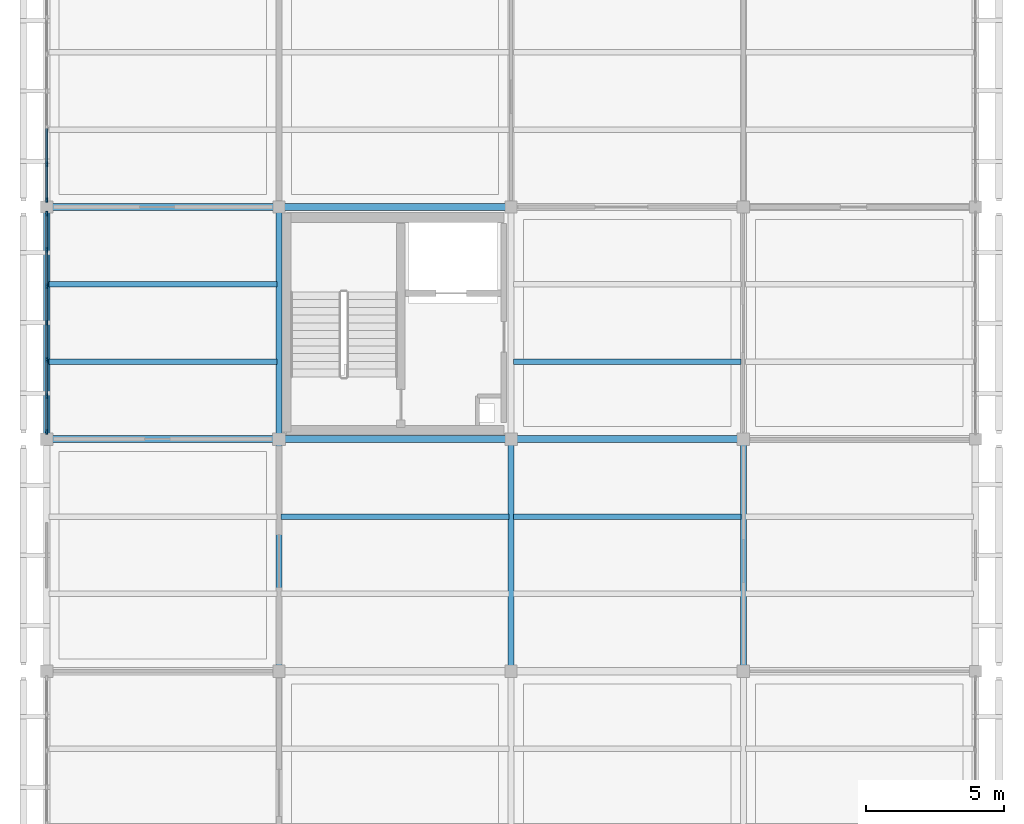
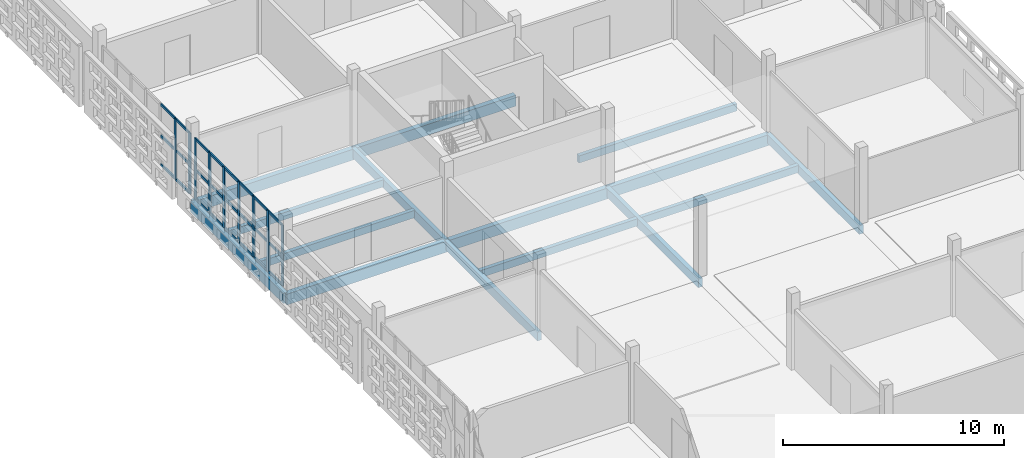
# One storey, part 45 of 140: 33 members, 15 beams, 2 elements without a shape of their own.
"""IFC4 building model written with IfcOpenShell, lengths in metres."""

from ifc_helpers import new_model, si_unit, direction, frame, origin, origin_2d, place, context, subcontext, project, spatial, rectangle, extrude, material, layer, layer_set, material_profile, profile_set, type_object, element, aggregate, save


model = new_model("IFC4")

# Units and contexts
model_context = context("Model", 3, precision=1e-05, world=origin(), true_north=direction((0.0, 1.0)))
body_context = subcontext(model_context, "Body", "Model", "MODEL_VIEW")
ifc_project = project(units=[si_unit("LENGTHUNIT", "METRE"), si_unit("AREAUNIT", "SQUARE_METRE"), si_unit("VOLUMEUNIT", "CUBIC_METRE"), si_unit("PLANEANGLEUNIT", "RADIAN"), si_unit("MASSUNIT", "GRAM", prefix="KILO")], contexts=[model_context])

# Site, building, storey
site_placement = place(None, origin())
site = spatial("IfcSite", under=ifc_project, at=site_placement, CompositionType="ELEMENT")
building_placement = place(site_placement, origin())
building = spatial("IfcBuilding", under=site, at=building_placement, Name="Varnapada Polytechnic", CompositionType="ELEMENT")
storey_placement = place(building_placement, frame((0.0, 0.0, 13.800048828125)))
storey = spatial("IfcBuildingStorey", under=building, at=storey_placement, Name="L03", CompositionType="ELEMENT", Elevation=13.800048828125)

# Beams
ifc_material_1 = material(Name="Glulam GL32h", Category="wood")
ifc_material_profile_1 = material_profile(ifc_material_1, rectangle(XDim=0.199951171875, YDim=0.39990234375, at=origin_2d()), Name="GL 200x400")
ifc_profile_set_1 = profile_set([ifc_material_profile_1], Name="Glulam GL32h")
beam_type_1 = type_object("IfcBeamType", Name="Library/laboratory glulam floor joist GJ-01 (GL 200x400)", PredefinedType="JOIST", material=ifc_profile_set_1)
for number, where, z_axis, x_axis, name in (
    (1, (0.080078125, 103.60009765625, -0.43994140625), (1.0, 0.0, 0.0), (0.0, 1.0, 0.0), "L03 floor joist 1/13.1"),
    (2, (0.080078125, 106.39990234375, -0.43994140625), (1.0, 0.0, 0.0), (0.0, 1.0, 0.0), "L03 floor joist 1/13.2"),
    (3, (8.47998046875, 98.0, -0.43994140625), (1.0, 0.0, 0.0), (0.0, 1.0, 0.0), "L03 floor joist 2/12.2"),
):
    element("IfcBeam", number, at=place(storey_placement, frame(where, z_axis=z_axis, x_axis=x_axis)), inside=storey, type_object=beam_type_1, Name=name, PredefinedType="JOIST", context=body_context, shape_type="SweptSolid", body=[
        extrude(rectangle(XDim=0.199951171875, YDim=0.39990234375, at=origin_2d()), origin(), (0.0, 0.0, 1.0), 8.239990234375),
    ])
for number, where, z_axis, x_axis, name in (
    (4, (16.8798828125, 98.0, -0.43994140625), (1.0, 0.0, 0.0), (0.0, 1.0, 0.0), "L03 floor joist 3/12.2"),
    (5, (16.8798828125, 103.60009765625, -0.43994140625), (1.0, 0.0, 0.0), (0.0, 1.0, 0.0), "L03 floor joist 3/13.1"),
):
    element("IfcBeam", number, at=place(storey_placement, frame(where, z_axis=z_axis, x_axis=x_axis)), inside=storey, type_object=beam_type_1, Name=name, PredefinedType="JOIST", context=body_context, shape_type="SweptSolid", body=[
        extrude(rectangle(XDim=0.199951171875, YDim=0.39990234375, at=origin_2d()), origin(), (0.0, 0.0, 1.0), 8.240234375),
    ])

# Curtain wall, members
ifc_material_2 = material(Name="Double low-E laminated glass", Category="glass")
ifc_layer = layer(ifc_material_2, 0.179931640625)
ifc_layer_set = layer_set([ifc_layer], Name="Double low-E laminated glass")
curtain_wall_type = type_object("IfcCurtainWallType", Name="Curtain Wall CW-03", PredefinedType="NOTDEFINED", material=ifc_layer_set)
curtain_wall_1_placement = place(storey_placement, origin())
curtain_wall_1 = element("IfcCurtainWall", 6, at=curtain_wall_1_placement, inside=storey, type_object=curtain_wall_type, Name="L03 unitised curtain wall CW-03 (209)", PredefinedType="NOTDEFINED")
ifc_material_3 = material(Name="Anodised aluminium", Category="aluminium")
ifc_material_profile_2 = material_profile(ifc_material_3, rectangle(XDim=0.06494140625, YDim=0.179931640625, at=origin_2d()), Name="ALU M65x180")
ifc_profile_set_2 = profile_set([ifc_material_profile_2], Name="Anodised aluminium")
member_type_1 = type_object("IfcMemberType", Name="Mullion M-02", PredefinedType="MULLION", material=ifc_profile_set_2)
member_1_placement = place(storey_placement, frame((0.0, 101.0625, 0.0), z_axis=(0.0, 0.0, 1.0), x_axis=(-1.0, 0.0, 0.0)))
member_1 = element("IfcMember", 7, at=member_1_placement, type_object=member_type_1, Name="CW-03 mullion 1", PredefinedType="MULLION", context=body_context, shape_type="SweptSolid", body=[
    extrude(rectangle(XDim=0.06494140625, YDim=0.179931640625, at=origin_2d()), origin(), (0.0, 0.0, 1.0), 3.35986328125),
])
member_2_placement = place(storey_placement, frame((0.0, 102.35498046875, 0.0), z_axis=(0.0, 0.0, 1.0), x_axis=(-1.0, 0.0, 0.0)))
member_2 = element("IfcMember", 8, at=member_2_placement, type_object=member_type_1, Name="CW-03 mullion 2", PredefinedType="MULLION", context=body_context, shape_type="SweptSolid", body=[
    extrude(rectangle(XDim=0.06494140625, YDim=0.179931640625, at=origin_2d()), origin(), (0.0, 0.0, 1.0), 3.35986328125),
])
member_3_placement = place(storey_placement, frame((0.0, 103.679931640625, 0.0), z_axis=(0.0, 0.0, 1.0), x_axis=(-1.0, 0.0, 0.0)))
member_3 = element("IfcMember", 9, at=member_3_placement, type_object=member_type_1, Name="CW-03 mullion 3", PredefinedType="MULLION", context=body_context, shape_type="SweptSolid", body=[
    extrude(rectangle(XDim=0.06494140625, YDim=0.179931640625, at=origin_2d()), origin(), (0.0, 0.0, 1.0), 3.35986328125),
])
member_4_placement = place(storey_placement, frame((0.0, 105.0048828125, 0.0), z_axis=(0.0, 0.0, 1.0), x_axis=(-1.0, 0.0, 0.0)))
member_4 = element("IfcMember", 10, at=member_4_placement, type_object=member_type_1, Name="CW-03 mullion 4", PredefinedType="MULLION", context=body_context, shape_type="SweptSolid", body=[
    extrude(rectangle(XDim=0.06494140625, YDim=0.179931640625, at=origin_2d()), origin(), (0.0, 0.0, 1.0), 3.35986328125),
])
member_5_placement = place(storey_placement, frame((0.0, 106.330078125, 0.0), z_axis=(0.0, 0.0, 1.0), x_axis=(-1.0, 0.0, 0.0)))
member_5 = element("IfcMember", 11, at=member_5_placement, type_object=member_type_1, Name="CW-03 mullion 5", PredefinedType="MULLION", context=body_context, shape_type="SweptSolid", body=[
    extrude(rectangle(XDim=0.06494140625, YDim=0.179931640625, at=origin_2d()), origin(), (0.0, 0.0, 1.0), 3.35986328125),
])
member_6_placement = place(storey_placement, frame((0.0, 107.655029296875, 0.0), z_axis=(0.0, 0.0, 1.0), x_axis=(-1.0, 0.0, 0.0)))
member_6 = element("IfcMember", 12, at=member_6_placement, type_object=member_type_1, Name="CW-03 mullion 6", PredefinedType="MULLION", context=body_context, shape_type="SweptSolid", body=[
    extrude(rectangle(XDim=0.06494140625, YDim=0.179931640625, at=origin_2d()), origin(), (0.0, 0.0, 1.0), 3.35986328125),
])
member_7_placement = place(storey_placement, frame((0.0, 108.947509765625, 0.0), z_axis=(0.0, 0.0, 1.0), x_axis=(-1.0, 0.0, 0.0)))
member_7 = element("IfcMember", 13, at=member_7_placement, type_object=member_type_1, Name="CW-03 mullion 7", PredefinedType="MULLION", context=body_context, shape_type="SweptSolid", body=[
    extrude(rectangle(XDim=0.06494140625, YDim=0.179931640625, at=origin_2d()), origin(), (0.0, 0.0, 1.0), 3.35986328125),
])

curtain_wall_2_placement = place(storey_placement, origin())
curtain_wall_2 = element("IfcCurtainWall", 14, at=curtain_wall_2_placement, inside=storey, type_object=curtain_wall_type, Name="L03 unitised curtain wall CW-03 (210)", PredefinedType="NOTDEFINED")
member_8_placement = place(storey_placement, frame((0.0, 109.452392578125, 0.0), z_axis=(0.0, 0.0, 1.0), x_axis=(-1.0, 0.0, 0.0)))
member_8 = element("IfcMember", 15, at=member_8_placement, type_object=member_type_1, Name="CW-03 mullion 1", PredefinedType="MULLION", context=body_context, shape_type="SweptSolid", body=[
    extrude(rectangle(XDim=0.06494140625, YDim=0.179931640625, at=origin_2d()), origin(), (0.0, 0.0, 1.0), 3.35986328125),
])
member_9_placement = place(storey_placement, frame((0.0, 110.7451171875, 0.0), z_axis=(0.0, 0.0, 1.0), x_axis=(-1.0, 0.0, 0.0)))
member_9 = element("IfcMember", 16, at=member_9_placement, type_object=member_type_1, Name="CW-03 mullion 2", PredefinedType="MULLION", context=body_context, shape_type="SweptSolid", body=[
    extrude(rectangle(XDim=0.06494140625, YDim=0.179931640625, at=origin_2d()), origin(), (0.0, 0.0, 1.0), 3.35986328125),
])

# Beams
ifc_material_profile_3 = material_profile(ifc_material_1, rectangle(XDim=0.239990234375, YDim=0.56005859375, at=origin_2d()), Name="GL 240x560")
ifc_profile_set_3 = profile_set([ifc_material_profile_3], Name="Glulam GL32h")
beam_type_2 = type_object("IfcBeamType", Name="Perimeter glulam spandrel beam SP-02 (GL 240x560)", PredefinedType="SPANDREL", material=ifc_profile_set_3)
beam_1_placement = place(storey_placement, frame((0.0, 100.800048828125, -0.52001953125), z_axis=(0.0, 1.0, 0.0), x_axis=(-1.0, 0.0, 0.0)))
element("IfcBeam", 17, at=beam_1_placement, inside=storey, type_object=beam_type_2, Name="L03 beam Y 13-14 at X1", PredefinedType="SPANDREL", context=body_context, shape_type="SweptSolid", body=[
    extrude(rectangle(XDim=0.239990234375, YDim=0.56005859375, at=origin_2d()), origin(), (0.0, 0.0, 1.0), 8.39990234375),
])
ifc_material_profile_4 = material_profile(ifc_material_1, rectangle(XDim=0.260009765625, YDim=0.60009765625, at=origin_2d()), Name="GL 260x600")
ifc_profile_set_4 = profile_set([ifc_material_profile_4], Name="Glulam GL32h")
beam_type_3 = type_object("IfcBeamType", Name="Seminar wing glulam girder GG-05 (GL 260x600)", PredefinedType="BEAM", material=ifc_profile_set_4)
for number, where, z_axis, x_axis, name in (
    (18, (0.0, 100.800048828125, -0.5400390625), (1.0, 0.0, 0.0), (0.0, 1.0, 0.0), "L03 beam X 1-2 at Y13"),
    (19, (0.0, 109.199951171875, -0.5400390625), (1.0, 0.0, 0.0), (0.0, 1.0, 0.0), "L03 beam X 1-2 at Y14"),
):
    element("IfcBeam", number, at=place(storey_placement, frame(where, z_axis=z_axis, x_axis=x_axis)), inside=storey, type_object=beam_type_3, Name=name, PredefinedType="BEAM", context=body_context, shape_type="SweptSolid", body=[
        extrude(rectangle(XDim=0.260009765625, YDim=0.60009765625, at=origin_2d()), origin(), (0.0, 0.0, 1.0), 8.39990234375),
    ])
for number, where, z_axis, x_axis, name in (
    (20, (8.39990234375, 100.800048828125, -0.5400390625), (1.0, 0.0, 0.0), (0.0, 1.0, 0.0), "L03 beam X 2-3 at Y13"),
    (21, (8.39990234375, 109.199951171875, -0.5400390625), (1.0, 0.0, 0.0), (0.0, 1.0, 0.0), "L03 beam X 2-3 at Y14"),
):
    element("IfcBeam", number, at=place(storey_placement, frame(where, z_axis=z_axis, x_axis=x_axis)), inside=storey, type_object=beam_type_3, Name=name, PredefinedType="BEAM", context=body_context, shape_type="SweptSolid", body=[
        extrude(rectangle(XDim=0.260009765625, YDim=0.60009765625, at=origin_2d()), origin(), (0.0, 0.0, 1.0), 8.400146484375),
    ])
beam_2_placement = place(storey_placement, frame((16.800048828125, 100.800048828125, -0.5400390625), z_axis=(1.0, 0.0, 0.0), x_axis=(0.0, 1.0, 0.0)))
element("IfcBeam", 22, at=beam_2_placement, inside=storey, type_object=beam_type_3, Name="L03 beam X 3-4 at Y13", PredefinedType="BEAM", context=body_context, shape_type="SweptSolid", body=[
    extrude(rectangle(XDim=0.260009765625, YDim=0.60009765625, at=origin_2d()), origin(), (0.0, 0.0, 1.0), 8.39990234375),
])

# Member
ifc_material_profile_5 = material_profile(ifc_material_3, rectangle(XDim=0.06494140625, YDim=0.139892578125, at=origin_2d()), Name="ALU T65x140")
ifc_profile_set_5 = profile_set([ifc_material_profile_5], Name="Anodised aluminium")
member_type_2 = type_object("IfcMemberType", Name="Transom T-02", PredefinedType="USERDEFINED", material=ifc_profile_set_5)
member_10_placement = place(storey_placement, frame((0.0, 101.094970703125, 0.032470703125), z_axis=(0.0, 1.0, 0.0), x_axis=(-1.0, 0.0, 0.0)))
member_10 = element("IfcMember", 23, at=member_10_placement, type_object=member_type_2, Name="CW-03 transom 1.1", ObjectType="TRANSOM", PredefinedType="USERDEFINED", context=body_context, shape_type="SweptSolid", body=[
    extrude(rectangle(XDim=0.06494140625, YDim=0.139892578125, at=origin_2d()), origin(), (0.0, 0.0, 1.0), 1.2275390625),
])

member_11_placement = place(storey_placement, frame((0.0, 101.094970703125, 1.61279296875), z_axis=(0.0, 1.0, 0.0), x_axis=(-1.0, 0.0, 0.0)))
member_11 = element("IfcMember", 24, at=member_11_placement, type_object=member_type_2, Name="CW-03 transom 1.2", ObjectType="TRANSOM", PredefinedType="USERDEFINED", context=body_context, shape_type="SweptSolid", body=[
    extrude(rectangle(XDim=0.06494140625, YDim=0.139892578125, at=origin_2d()), origin(), (0.0, 0.0, 1.0), 1.2275390625),
])

member_12_placement = place(storey_placement, frame((0.0, 101.094970703125, 3.327392578125), z_axis=(0.0, 1.0, 0.0), x_axis=(-1.0, 0.0, 0.0)))
member_12 = element("IfcMember", 25, at=member_12_placement, type_object=member_type_2, Name="CW-03 transom 1.3", ObjectType="TRANSOM", PredefinedType="USERDEFINED", context=body_context, shape_type="SweptSolid", body=[
    extrude(rectangle(XDim=0.06494140625, YDim=0.139892578125, at=origin_2d()), origin(), (0.0, 0.0, 1.0), 1.2275390625),
])

member_13_placement = place(storey_placement, frame((0.0, 102.387451171875, 0.032470703125), z_axis=(0.0, 1.0, 0.0), x_axis=(-1.0, 0.0, 0.0)))
member_13 = element("IfcMember", 26, at=member_13_placement, type_object=member_type_2, Name="CW-03 transom 2.1", ObjectType="TRANSOM", PredefinedType="USERDEFINED", context=body_context, shape_type="SweptSolid", body=[
    extrude(rectangle(XDim=0.06494140625, YDim=0.139892578125, at=origin_2d()), origin(), (0.0, 0.0, 1.0), 1.260009765625),
])

member_14_placement = place(storey_placement, frame((0.0, 102.387451171875, 1.61279296875), z_axis=(0.0, 1.0, 0.0), x_axis=(-1.0, 0.0, 0.0)))
member_14 = element("IfcMember", 27, at=member_14_placement, type_object=member_type_2, Name="CW-03 transom 2.2", ObjectType="TRANSOM", PredefinedType="USERDEFINED", context=body_context, shape_type="SweptSolid", body=[
    extrude(rectangle(XDim=0.06494140625, YDim=0.139892578125, at=origin_2d()), origin(), (0.0, 0.0, 1.0), 1.260009765625),
])

member_15_placement = place(storey_placement, frame((0.0, 102.387451171875, 3.327392578125), z_axis=(0.0, 1.0, 0.0), x_axis=(-1.0, 0.0, 0.0)))
member_15 = element("IfcMember", 28, at=member_15_placement, type_object=member_type_2, Name="CW-03 transom 2.3", ObjectType="TRANSOM", PredefinedType="USERDEFINED", context=body_context, shape_type="SweptSolid", body=[
    extrude(rectangle(XDim=0.06494140625, YDim=0.139892578125, at=origin_2d()), origin(), (0.0, 0.0, 1.0), 1.260009765625),
])

member_16_placement = place(storey_placement, frame((0.0, 103.71240234375, 0.032470703125), z_axis=(0.0, 1.0, 0.0), x_axis=(-1.0, 0.0, 0.0)))
member_16 = element("IfcMember", 29, at=member_16_placement, type_object=member_type_2, Name="CW-03 transom 3.1", ObjectType="TRANSOM", PredefinedType="USERDEFINED", context=body_context, shape_type="SweptSolid", body=[
    extrude(rectangle(XDim=0.06494140625, YDim=0.139892578125, at=origin_2d()), origin(), (0.0, 0.0, 1.0), 1.260009765625),
])

member_17_placement = place(storey_placement, frame((0.0, 103.71240234375, 1.61279296875), z_axis=(0.0, 1.0, 0.0), x_axis=(-1.0, 0.0, 0.0)))
member_17 = element("IfcMember", 30, at=member_17_placement, type_object=member_type_2, Name="CW-03 transom 3.2", ObjectType="TRANSOM", PredefinedType="USERDEFINED", context=body_context, shape_type="SweptSolid", body=[
    extrude(rectangle(XDim=0.06494140625, YDim=0.139892578125, at=origin_2d()), origin(), (0.0, 0.0, 1.0), 1.260009765625),
])

member_18_placement = place(storey_placement, frame((0.0, 103.71240234375, 3.327392578125), z_axis=(0.0, 1.0, 0.0), x_axis=(-1.0, 0.0, 0.0)))
member_18 = element("IfcMember", 31, at=member_18_placement, type_object=member_type_2, Name="CW-03 transom 3.3", ObjectType="TRANSOM", PredefinedType="USERDEFINED", context=body_context, shape_type="SweptSolid", body=[
    extrude(rectangle(XDim=0.06494140625, YDim=0.139892578125, at=origin_2d()), origin(), (0.0, 0.0, 1.0), 1.260009765625),
])

member_19_placement = place(storey_placement, frame((0.0, 105.03759765625, 0.032470703125), z_axis=(0.0, 1.0, 0.0), x_axis=(-1.0, 0.0, 0.0)))
member_19 = element("IfcMember", 32, at=member_19_placement, type_object=member_type_2, Name="CW-03 transom 4.1", ObjectType="TRANSOM", PredefinedType="USERDEFINED", context=body_context, shape_type="SweptSolid", body=[
    extrude(rectangle(XDim=0.06494140625, YDim=0.139892578125, at=origin_2d()), origin(), (0.0, 0.0, 1.0), 1.260009765625),
])

member_20_placement = place(storey_placement, frame((0.0, 105.03759765625, 1.61279296875), z_axis=(0.0, 1.0, 0.0), x_axis=(-1.0, 0.0, 0.0)))
member_20 = element("IfcMember", 33, at=member_20_placement, type_object=member_type_2, Name="CW-03 transom 4.2", ObjectType="TRANSOM", PredefinedType="USERDEFINED", context=body_context, shape_type="SweptSolid", body=[
    extrude(rectangle(XDim=0.06494140625, YDim=0.139892578125, at=origin_2d()), origin(), (0.0, 0.0, 1.0), 1.260009765625),
])

member_21_placement = place(storey_placement, frame((0.0, 105.03759765625, 3.327392578125), z_axis=(0.0, 1.0, 0.0), x_axis=(-1.0, 0.0, 0.0)))
member_21 = element("IfcMember", 34, at=member_21_placement, type_object=member_type_2, Name="CW-03 transom 4.3", ObjectType="TRANSOM", PredefinedType="USERDEFINED", context=body_context, shape_type="SweptSolid", body=[
    extrude(rectangle(XDim=0.06494140625, YDim=0.139892578125, at=origin_2d()), origin(), (0.0, 0.0, 1.0), 1.260009765625),
])

member_22_placement = place(storey_placement, frame((0.0, 106.362548828125, 0.032470703125), z_axis=(0.0, 1.0, 0.0), x_axis=(-1.0, 0.0, 0.0)))
member_22 = element("IfcMember", 35, at=member_22_placement, type_object=member_type_2, Name="CW-03 transom 5.1", ObjectType="TRANSOM", PredefinedType="USERDEFINED", context=body_context, shape_type="SweptSolid", body=[
    extrude(rectangle(XDim=0.06494140625, YDim=0.139892578125, at=origin_2d()), origin(), (0.0, 0.0, 1.0), 1.260009765625),
])

member_23_placement = place(storey_placement, frame((0.0, 106.362548828125, 1.61279296875), z_axis=(0.0, 1.0, 0.0), x_axis=(-1.0, 0.0, 0.0)))
member_23 = element("IfcMember", 36, at=member_23_placement, type_object=member_type_2, Name="CW-03 transom 5.2", ObjectType="TRANSOM", PredefinedType="USERDEFINED", context=body_context, shape_type="SweptSolid", body=[
    extrude(rectangle(XDim=0.06494140625, YDim=0.139892578125, at=origin_2d()), origin(), (0.0, 0.0, 1.0), 1.260009765625),
])

member_24_placement = place(storey_placement, frame((0.0, 106.362548828125, 3.327392578125), z_axis=(0.0, 1.0, 0.0), x_axis=(-1.0, 0.0, 0.0)))
member_24 = element("IfcMember", 37, at=member_24_placement, type_object=member_type_2, Name="CW-03 transom 5.3", ObjectType="TRANSOM", PredefinedType="USERDEFINED", context=body_context, shape_type="SweptSolid", body=[
    extrude(rectangle(XDim=0.06494140625, YDim=0.139892578125, at=origin_2d()), origin(), (0.0, 0.0, 1.0), 1.260009765625),
])

member_25_placement = place(storey_placement, frame((0.0, 107.6875, 0.032470703125), z_axis=(0.0, 1.0, 0.0), x_axis=(-1.0, 0.0, 0.0)))
member_25 = element("IfcMember", 38, at=member_25_placement, type_object=member_type_2, Name="CW-03 transom 6.1", ObjectType="TRANSOM", PredefinedType="USERDEFINED", context=body_context, shape_type="SweptSolid", body=[
    extrude(rectangle(XDim=0.06494140625, YDim=0.139892578125, at=origin_2d()), origin(), (0.0, 0.0, 1.0), 1.2275390625),
])

member_26_placement = place(storey_placement, frame((0.0, 107.6875, 1.61279296875), z_axis=(0.0, 1.0, 0.0), x_axis=(-1.0, 0.0, 0.0)))
member_26 = element("IfcMember", 39, at=member_26_placement, type_object=member_type_2, Name="CW-03 transom 6.2", ObjectType="TRANSOM", PredefinedType="USERDEFINED", context=body_context, shape_type="SweptSolid", body=[
    extrude(rectangle(XDim=0.06494140625, YDim=0.139892578125, at=origin_2d()), origin(), (0.0, 0.0, 1.0), 1.2275390625),
])

member_27_placement = place(storey_placement, frame((0.0, 107.6875, 3.327392578125), z_axis=(0.0, 1.0, 0.0), x_axis=(-1.0, 0.0, 0.0)))
member_27 = element("IfcMember", 40, at=member_27_placement, type_object=member_type_2, Name="CW-03 transom 6.3", ObjectType="TRANSOM", PredefinedType="USERDEFINED", context=body_context, shape_type="SweptSolid", body=[
    extrude(rectangle(XDim=0.06494140625, YDim=0.139892578125, at=origin_2d()), origin(), (0.0, 0.0, 1.0), 1.2275390625),
])

aggregate(curtain_wall_1, [member_1, member_2, member_3, member_4, member_5, member_6, member_7, member_10, member_11, member_12, member_13, member_14, member_15, member_16, member_17, member_18, member_19, member_20, member_21, member_22, member_23, member_24, member_25, member_26, member_27])

member_28_placement = place(storey_placement, frame((0.0, 109.485107421875, 0.032470703125), z_axis=(0.0, 1.0, 0.0), x_axis=(-1.0, 0.0, 0.0)))
member_28 = element("IfcMember", 41, at=member_28_placement, type_object=member_type_2, Name="CW-03 transom 1.1", ObjectType="TRANSOM", PredefinedType="USERDEFINED", context=body_context, shape_type="SweptSolid", body=[
    extrude(rectangle(XDim=0.06494140625, YDim=0.139892578125, at=origin_2d()), origin(), (0.0, 0.0, 1.0), 1.227294921875),
])

member_29_placement = place(storey_placement, frame((0.0, 109.485107421875, 1.61279296875), z_axis=(0.0, 1.0, 0.0), x_axis=(-1.0, 0.0, 0.0)))
member_29 = element("IfcMember", 42, at=member_29_placement, type_object=member_type_2, Name="CW-03 transom 1.2", ObjectType="TRANSOM", PredefinedType="USERDEFINED", context=body_context, shape_type="SweptSolid", body=[
    extrude(rectangle(XDim=0.06494140625, YDim=0.139892578125, at=origin_2d()), origin(), (0.0, 0.0, 1.0), 1.227294921875),
])

member_30_placement = place(storey_placement, frame((0.0, 109.485107421875, 3.327392578125), z_axis=(0.0, 1.0, 0.0), x_axis=(-1.0, 0.0, 0.0)))
member_30 = element("IfcMember", 43, at=member_30_placement, type_object=member_type_2, Name="CW-03 transom 1.3", ObjectType="TRANSOM", PredefinedType="USERDEFINED", context=body_context, shape_type="SweptSolid", body=[
    extrude(rectangle(XDim=0.06494140625, YDim=0.139892578125, at=origin_2d()), origin(), (0.0, 0.0, 1.0), 1.227294921875),
])

member_31_placement = place(storey_placement, frame((0.0, 110.777587890625, 0.032470703125), z_axis=(0.0, 1.0, 0.0), x_axis=(-1.0, 0.0, 0.0)))
member_31 = element("IfcMember", 44, at=member_31_placement, type_object=member_type_2, Name="CW-03 transom 2.1", ObjectType="TRANSOM", PredefinedType="USERDEFINED", context=body_context, shape_type="SweptSolid", body=[
    extrude(rectangle(XDim=0.06494140625, YDim=0.139892578125, at=origin_2d()), origin(), (0.0, 0.0, 1.0), 1.260009765625),
])

member_32_placement = place(storey_placement, frame((0.0, 110.777587890625, 1.61279296875), z_axis=(0.0, 1.0, 0.0), x_axis=(-1.0, 0.0, 0.0)))
member_32 = element("IfcMember", 45, at=member_32_placement, type_object=member_type_2, Name="CW-03 transom 2.2", ObjectType="TRANSOM", PredefinedType="USERDEFINED", context=body_context, shape_type="SweptSolid", body=[
    extrude(rectangle(XDim=0.06494140625, YDim=0.139892578125, at=origin_2d()), origin(), (0.0, 0.0, 1.0), 1.260009765625),
])

member_33_placement = place(storey_placement, frame((0.0, 110.777587890625, 3.327392578125), z_axis=(0.0, 1.0, 0.0), x_axis=(-1.0, 0.0, 0.0)))
member_33 = element("IfcMember", 46, at=member_33_placement, type_object=member_type_2, Name="CW-03 transom 2.3", ObjectType="TRANSOM", PredefinedType="USERDEFINED", context=body_context, shape_type="SweptSolid", body=[
    extrude(rectangle(XDim=0.06494140625, YDim=0.139892578125, at=origin_2d()), origin(), (0.0, 0.0, 1.0), 1.260009765625),
])

aggregate(curtain_wall_2, [member_8, member_9, member_28, member_29, member_30, member_31, member_32, member_33])

# Beams
ifc_material_profile_6 = material_profile(ifc_material_1, rectangle(XDim=0.219970703125, YDim=0.47998046875, at=origin_2d()), Name="GL 220x480")
ifc_profile_set_6 = profile_set([ifc_material_profile_6], Name="Glulam GL32h")
beam_type_4 = type_object("IfcBeamType", Name="Upper floor glulam tie beam GB-11 (GL 220x480)", PredefinedType="BEAM", material=ifc_profile_set_6)
beam_3_placement = place(storey_placement, frame((8.39990234375, 92.39990234375, -0.47998046875), z_axis=(0.0, 1.0, 0.0), x_axis=(-1.0, 0.0, 0.0)))
element("IfcBeam", 47, at=beam_3_placement, inside=storey, type_object=beam_type_4, Name="L03 beam Y 12-13 at X2", PredefinedType="BEAM", context=body_context, shape_type="SweptSolid", body=[
    extrude(rectangle(XDim=0.219970703125, YDim=0.47998046875, at=origin_2d()), origin(), (0.0, 0.0, 1.0), 8.400146484375),
])
beam_4_placement = place(storey_placement, frame((8.39990234375, 100.800048828125, -0.47998046875), z_axis=(0.0, 1.0, 0.0), x_axis=(-1.0, 0.0, 0.0)))
element("IfcBeam", 48, at=beam_4_placement, inside=storey, type_object=beam_type_4, Name="L03 beam Y 13-14 at X2", PredefinedType="BEAM", context=body_context, shape_type="SweptSolid", body=[
    extrude(rectangle(XDim=0.219970703125, YDim=0.47998046875, at=origin_2d()), origin(), (0.0, 0.0, 1.0), 8.39990234375),
])
for number, where, z_axis, x_axis, name in (
    (49, (16.800048828125, 92.39990234375, -0.47998046875), (0.0, 1.0, 0.0), (-1.0, 0.0, 0.0), "L03 beam Y 12-13 at X3"),
    (50, (25.199951171875, 92.39990234375, -0.47998046875), (0.0, 1.0, 0.0), (-1.0, 0.0, 0.0), "L03 beam Y 12-13 at X4"),
):
    element("IfcBeam", number, at=place(storey_placement, frame(where, z_axis=z_axis, x_axis=x_axis)), inside=storey, type_object=beam_type_4, Name=name, PredefinedType="BEAM", context=body_context, shape_type="SweptSolid", body=[
        extrude(rectangle(XDim=0.219970703125, YDim=0.47998046875, at=origin_2d()), origin(), (0.0, 0.0, 1.0), 8.400146484375),
    ])

save(model, "model.ifc")
